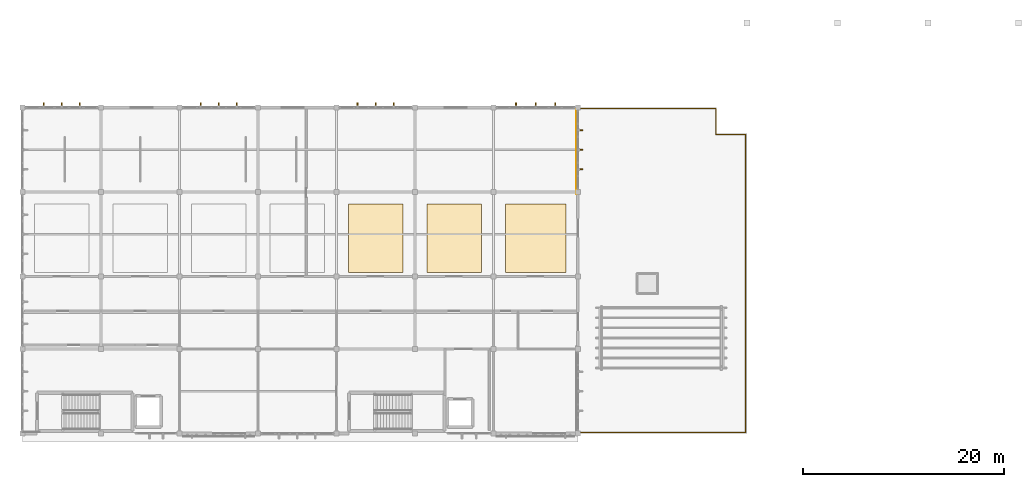
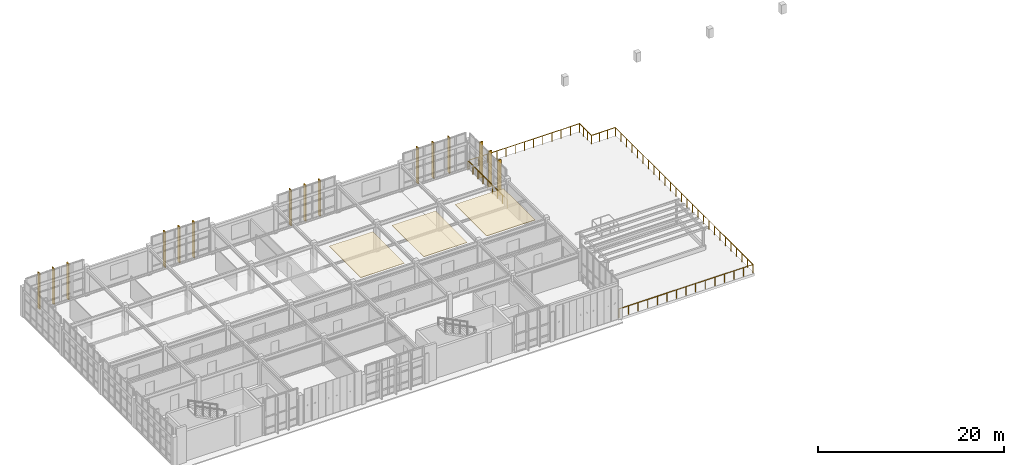
# One storey, part 19 of 20: 18 coverings, 2 railings.
"""IFC4 building model written with IfcOpenShell, lengths in metres."""

import ifcopenshell
import ifcopenshell.guid

model = None  # the IFC model being written
_history = None  # IfcOwnerHistory: only IFC2X3 demands one
_inside = {}  # id of a spatial element -> (the spatial element, [elements in it])
_under = {}  # id of a project, library or spatial element -> (it, [spatial elements below it])
_declared = {}  # id of a project -> (the project, [libraries it declares])
_typed = {}  # id of a type object -> (the type object, [elements of that type])
_made_of = {}  # id of a material, layer set ... -> (it, [elements and type objects made of it])


def new_model(schema):
    """Start an empty IFC model of exactly this schema.

    Asked for "IFC4X3", IfcOpenShell would pick the latest addendum, in which some entities
    have other attributes; the version numbers below select the first issue.
    IFC2X3 requires an IfcOwnerHistory on every rooted entity: one is made here for all.
    """
    global model, _history
    if schema == "IFC4X3":
        model = ifcopenshell.file(schema_version=(4, 3, 0, 0))
    else:
        model = ifcopenshell.file(schema=schema)
    _inside.clear()
    _under.clear()
    _declared.clear()
    _typed.clear()
    _made_of.clear()
    _history = None
    if model.schema == "IFC2X3":
        org = make("IfcOrganization", Name="unknown")
        user = make(
            "IfcPersonAndOrganization",
            ThePerson=make("IfcPerson", FamilyName="unknown"),
            TheOrganization=org,
        )
        app = make(
            "IfcApplication",
            ApplicationDeveloper=org,
            Version="unknown",
            ApplicationFullName="unknown",
            ApplicationIdentifier="unknown",
        )
        _history = make(
            "IfcOwnerHistory",
            OwningUser=user,
            OwningApplication=app,
            ChangeAction="ADDED",
            CreationDate=0,
        )
    return model


def make(cls, **values):
    """One entity of the class cls with the attributes given. An attribute that is None is left unset."""
    return model.create_entity(
        cls, **{name: value for name, value in values.items() if value is not None}
    )


def rooted(cls, **values):
    """An entity with a GlobalId (a new one), such as an element, a storey or a relation."""
    return make(cls, GlobalId=ifcopenshell.guid.new(), OwnerHistory=_history, **values)


def si_unit(unit_type, name, prefix=None):
    """IfcSIUnit, for example si_unit("LENGTHUNIT", "METRE", prefix="MILLI")."""
    return make("IfcSIUnit", UnitType=unit_type, Prefix=prefix, Name=name)


def assignment(units):
    """IfcUnitAssignment: the units of a project."""
    return None if units is None else make("IfcUnitAssignment", Units=units)


def point(xyz):
    """IfcCartesianPoint."""
    return None if xyz is None else make("IfcCartesianPoint", Coordinates=xyz)


def direction(xyz):
    """IfcDirection."""
    return None if xyz is None else make("IfcDirection", DirectionRatios=xyz)


def frame(location, z_axis=None, x_axis=None):
    """IfcAxis2Placement3D, a coordinate frame: its origin and axes. An axis left out is left unset."""
    return make(
        "IfcAxis2Placement3D",
        Location=point(location),
        Axis=direction(z_axis),
        RefDirection=direction(x_axis),
    )


def frame_2d(location, x_axis=None):
    """IfcAxis2Placement2D, a coordinate frame in the plane: its origin and x axis."""
    return make(
        "IfcAxis2Placement2D", Location=point(location), RefDirection=direction(x_axis)
    )


def origin():
    """The frame at (0, 0, 0) with its axes left unset."""
    return frame((0.0, 0.0, 0.0))


def origin_2d():
    """The frame at (0, 0) in the plane with its x axis left unset."""
    return frame_2d((0.0, 0.0))


def place(relative_to, where):
    """IfcLocalPlacement: puts the frame where relative to a parent placement (None: the world)."""
    return make(
        "IfcLocalPlacement", PlacementRelTo=relative_to, RelativePlacement=where
    )


def context(
    kind, dimensions, precision=None, world=None, true_north=None, identifier=None
):
    """IfcGeometricRepresentationContext, for example the 3D "Model" context."""
    return make(
        "IfcGeometricRepresentationContext",
        ContextIdentifier=identifier,
        ContextType=kind,
        CoordinateSpaceDimension=dimensions,
        Precision=precision,
        WorldCoordinateSystem=world,
        TrueNorth=true_north,
    )


def subcontext(parent, identifier, kind, view, scale=None):
    """IfcGeometricRepresentationSubContext, for example "Body" below "Model"."""
    return make(
        "IfcGeometricRepresentationSubContext",
        ContextIdentifier=identifier,
        ContextType=kind,
        ParentContext=parent,
        TargetScale=scale,
        TargetView=view,
    )


def project(units=None, contexts=None):
    """IfcProject with its units and contexts."""
    return rooted(
        "IfcProject",
        Name="project",
        RepresentationContexts=contexts,
        UnitsInContext=assignment(units),
    )


def spatial(cls, under=None, at=None, **own):
    """A site, building, storey or space (cls), placed at a placement, below another one or the project."""
    s = rooted(cls, ObjectPlacement=at, **own)
    if under is not None:
        _under.setdefault(under.id(), (under, []))[1].append(s)
    return s


def polyline(points):
    """IfcPolyline through the points."""
    return make("IfcPolyline", Points=[point(p) for p in points])


def profile(cls, at=None, kind="AREA", **sizes):
    """A parametric profile (cls). Its sizes go by their IFC names, for example OverallWidth=200.0."""
    return make(cls, ProfileType=kind, Position=at, **sizes)


def rectangle(**sizes):
    """IfcRectangleProfileDef."""
    return profile("IfcRectangleProfileDef", **sizes)


def circle(**sizes):
    """IfcCircleProfileDef."""
    return profile("IfcCircleProfileDef", **sizes)


def outline(outer, holes=None, kind="AREA"):
    """IfcArbitraryClosedProfileDef: a profile drawn as a closed curve; with holes, ...WithVoids."""
    if holes is None:
        return make("IfcArbitraryClosedProfileDef", ProfileType=kind, OuterCurve=outer)
    return make(
        "IfcArbitraryProfileDefWithVoids",
        ProfileType=kind,
        OuterCurve=outer,
        InnerCurves=holes,
    )


def extrude(swept, where, along, depth):
    """IfcExtrudedAreaSolid: the profile swept, set in the frame where, extruded along a direction by depth."""
    return make(
        "IfcExtrudedAreaSolid",
        SweptArea=swept,
        Position=where,
        ExtrudedDirection=direction(along),
        Depth=depth,
    )


def shape(context_of_items, identifier, shape_type, items):
    """IfcShapeRepresentation: the items that make up one representation, for example the "Body"."""
    return make(
        "IfcShapeRepresentation",
        ContextOfItems=context_of_items,
        RepresentationIdentifier=identifier,
        RepresentationType=shape_type,
        Items=items,
    )


def material(Name=None, Category=None):
    """IfcMaterial."""
    return make("IfcMaterial", Name=Name, Category=Category)


def layer(
    of_material, thickness, ventilated=None, Name=None, Category=None, Priority=None
):
    """IfcMaterialLayer: one layer of a wall or slab, of a material (None: an air gap)."""
    return make(
        "IfcMaterialLayer",
        Material=of_material,
        LayerThickness=thickness,
        IsVentilated=ventilated,
        Name=Name,
        Category=Category,
        Priority=Priority,
    )


def layer_set(layers, Name=None):
    """IfcMaterialLayerSet."""
    return make("IfcMaterialLayerSet", MaterialLayers=layers, LayerSetName=Name)


def made_of(thing, what):
    """Note that an element or type object is made of a material, layer set ...; save() writes the relation."""
    if what is not None:
        _made_of.setdefault(what.id(), (what, []))[1].append(thing)
    return thing


def type_object(cls, material=None, **own):
    """A type object (cls), such as IfcWallType, which elements share."""
    return made_of(rooted(cls, **own), material)


def element(
    cls,
    number,
    at=None,
    inside=None,
    cuts=None,
    type_object=None,
    material=None,
    context=None,
    identifier="Body",
    shape_type=None,
    held_by="IfcProductDefinitionShape",
    body=None,
    shapes=None,
    **own,
):
    """One element of the class cls, such as IfcWall. Its Tag is "e" and its number.

    at: its placement. inside: the storey or other place that contains it. cuts: it is an
    opening in that element (IfcRelVoidsElement). A single representation is given by context,
    identifier, shape_type and body (its items); several are given by shapes. held_by: the class
    of the entity that holds the representations. save() writes the other relations.
    """
    e = rooted(cls, Tag="e%d" % number, ObjectPlacement=at, **own)
    if body is not None:
        shapes = [shape(context, identifier, shape_type, body)]
    if shapes is not None:
        e.Representation = make(held_by, Representations=shapes)
    if inside is not None:
        _inside.setdefault(inside.id(), (inside, []))[1].append(e)
    if cuts is not None:
        rooted(
            "IfcRelVoidsElement", RelatingBuildingElement=cuts, RelatedOpeningElement=e
        )
    if type_object is not None:
        _typed.setdefault(type_object.id(), (type_object, []))[1].append(e)
    return made_of(e, material)


def aggregate(whole, parts):
    """IfcRelAggregates: a whole, such as a stair, and the parts it consists of."""
    return rooted("IfcRelAggregates", RelatingObject=whole, RelatedObjects=parts)


def save(model, path):
    """Write the relations noted so far, then the file.

    IfcRelAggregates (storeys below a building ...), IfcRelContainedInSpatialStructure (elements
    in a storey), IfcRelDefinesByType, IfcRelAssociatesMaterial and IfcRelDeclares: one each for
    every whole, place, type object, material and project.
    """
    for whole, parts in _under.values():
        aggregate(whole, parts)
    for where, things in _inside.values():
        rooted(
            "IfcRelContainedInSpatialStructure",
            RelatedElements=things,
            RelatingStructure=where,
        )
    for kind, things in _typed.values():
        rooted("IfcRelDefinesByType", RelatedObjects=things, RelatingType=kind)
    for what, things in _made_of.values():
        rooted("IfcRelAssociatesMaterial", RelatedObjects=things, RelatingMaterial=what)
    for by, libraries in _declared.values():
        rooted("IfcRelDeclares", RelatingContext=by, RelatedDefinitions=libraries)
    model.write(path)


model = new_model("IFC4")

# Units and contexts
model_context = context("Model", 3, precision=1e-05, world=origin(), true_north=direction((0.0, 1.0)))
body_context = subcontext(model_context, "Body", "Model", "MODEL_VIEW")
ifc_project = project(units=[si_unit("LENGTHUNIT", "METRE"), si_unit("AREAUNIT", "SQUARE_METRE"), si_unit("VOLUMEUNIT", "CUBIC_METRE"), si_unit("PLANEANGLEUNIT", "RADIAN"), si_unit("MASSUNIT", "GRAM", prefix="KILO")], contexts=[model_context])

# Site, building, storey
site_placement = place(None, origin())
site = spatial("IfcSite", under=ifc_project, at=site_placement, CompositionType="ELEMENT")
building_placement = place(site_placement, origin())
building = spatial("IfcBuilding", under=site, at=building_placement, Name="Tizgana Railside Sports Hall", CompositionType="ELEMENT")
storey_placement = place(building_placement, frame((0.0, 0.0, 19.800048828125)))
storey = spatial("IfcBuildingStorey", under=building, at=storey_placement, Name="L04", CompositionType="ELEMENT", Elevation=19.800048828125)

# Coverings
ifc_material_1 = material(Name="Glulam GL28h", Category="wood")
ifc_layer_1 = layer(ifc_material_1, 0.139892578125, Name="Glulam GL28h")
ifc_layer_set_1 = layer_set([ifc_layer_1], Name="Glulam GL28h")
covering_type_1 = type_object("IfcCoveringType", Name="Mass-Timber Brise-Soleil & Pergola Fin", PredefinedType="CLADDING", material=ifc_layer_set_1)
for number, where, z_axis, x_axis, name in (
    (1, (9.902587890625, 32.679931640625, 0.0400390625), (0.0, 0.0, 1.0), (1.0, 0.0, 0.0), "L04 Timber Brise-Soleil Fin"),
    (2, (11.699951171875, 32.679931640625, 0.0400390625), (0.0, 0.0, 1.0), (1.0, 0.0, 0.0), "L04 Timber Brise-Soleil Fin"),
    (3, (13.49755859375, 32.679931640625, 0.0400390625), (0.0, 0.0, 1.0), (1.0, 0.0, 0.0), "L04 Timber Brise-Soleil Fin"),
    (4, (25.50244140625, 32.679931640625, 0.0400390625), (0.0, 0.0, 1.0), (1.0, 0.0, 0.0), "L04 Timber Brise-Soleil Fin"),
    (5, (27.300048828125, 32.679931640625, 0.0400390625), (0.0, 0.0, 1.0), (1.0, 0.0, 0.0), "L04 Timber Brise-Soleil Fin"),
    (6, (29.097412109375, 32.679931640625, 0.0400390625), (0.0, 0.0, 1.0), (1.0, 0.0, 0.0), "L04 Timber Brise-Soleil Fin"),
    (7, (41.1025390625, 32.679931640625, 0.0400390625), (0.0, 0.0, 1.0), (1.0, 0.0, 0.0), "L04 Timber Brise-Soleil Fin"),
    (8, (42.89990234375, 32.679931640625, 0.0400390625), (0.0, 0.0, 1.0), (1.0, 0.0, 0.0), "L04 Timber Brise-Soleil Fin"),
    (9, (44.697509765625, 32.679931640625, 0.0400390625), (0.0, 0.0, 1.0), (1.0, 0.0, 0.0), "L04 Timber Brise-Soleil Fin"),
    (10, (56.8525390625, 32.679931640625, 0.0400390625), (0.0, 0.0, 1.0), (1.0, 0.0, 0.0), "L04 Timber Brise-Soleil Fin"),
    (11, (58.800048828125, 32.679931640625, 0.0400390625), (0.0, 0.0, 1.0), (1.0, 0.0, 0.0), "L04 Timber Brise-Soleil Fin"),
    (12, (60.74755859375, 32.679931640625, 0.0400390625), (0.0, 0.0, 1.0), (1.0, 0.0, 0.0), "L04 Timber Brise-Soleil Fin"),
    (13, (63.280029296875, 30.1474609375, 0.0400390625), (0.0, 0.0, 1.0), (0.0, -1.0, 0.0), "L04 Timber Brise-Soleil Fin"),
    (14, (63.280029296875, 28.199951171875, 0.0400390625), (0.0, 0.0, 1.0), (0.0, -1.0, 0.0), "L04 Timber Brise-Soleil Fin"),
    (15, (63.280029296875, 26.25244140625, 0.0400390625), (0.0, 0.0, 1.0), (0.0, -1.0, 0.0), "L04 Timber Brise-Soleil Fin"),
):
    element("IfcCovering", number, at=place(storey_placement, frame(where, z_axis=z_axis, x_axis=x_axis)), inside=storey, type_object=covering_type_1, Name=name, PredefinedType="CLADDING", context=body_context, shape_type="SweptSolid", body=[
        extrude(rectangle(XDim=0.1201171875, YDim=0.43994140625, at=origin_2d()), origin(), (0.0, 0.0, 1.0), 4.719970703125),
    ])
ifc_material_2 = material(Name="Acoustic perforated timber", Category="wood")
ifc_layer_2 = layer(ifc_material_2, 0.054931640625, Name="Acoustic perforated timber")
ifc_layer_set_2 = layer_set([ifc_layer_2], Name="Acoustic perforated timber")
covering_type_2 = type_object("IfcCoveringType", Name="Slatted Timber Acoustic Hall Ceiling", PredefinedType="CEILING", material=ifc_layer_set_2)
covering_1_placement = place(storey_placement, frame((0.0, 0.0, 3.550048828125)))
element("IfcCovering", 16, at=covering_1_placement, inside=storey, type_object=covering_type_2, Name="L04 Acoustic Ceiling CLG-0032", PredefinedType="CEILING", context=body_context, shape_type="SweptSolid", body=[
    extrude(outline(polyline([(40.199951171875, 16.0), (45.60009765625, 16.0), (45.60009765625, 22.800048828125), (40.199951171875, 22.800048828125), (40.199951171875, 16.0)])), origin(), (0.0, 0.0, 1.0), 0.054931640625),
])
covering_2_placement = place(storey_placement, frame((0.0, 0.0, 3.550048828125)))
element("IfcCovering", 17, at=covering_2_placement, inside=storey, type_object=covering_type_2, Name="L04 Acoustic Ceiling CLG-0033", PredefinedType="CEILING", context=body_context, shape_type="SweptSolid", body=[
    extrude(outline(polyline([(48.0, 16.0), (53.39990234375, 16.0), (53.39990234375, 22.800048828125), (48.0, 22.800048828125), (48.0, 16.0)])), origin(), (0.0, 0.0, 1.0), 0.054931640625),
])
covering_3_placement = place(storey_placement, frame((0.0, 0.0, 3.550048828125)))
element("IfcCovering", 18, at=covering_3_placement, inside=storey, type_object=covering_type_2, Name="L04 Acoustic Ceiling CLG-0034", PredefinedType="CEILING", context=body_context, shape_type="SweptSolid", body=[
    extrude(outline(polyline([(55.800048828125, 16.0), (61.800048828125, 16.0), (61.800048828125, 22.800048828125), (55.800048828125, 22.800048828125), (55.800048828125, 16.0)])), origin(), (0.0, 0.0, 1.0), 0.054931640625),
])

# Railings
ifc_material_3 = material(Name="Anodised aluminium", Category="aluminium")
railing_type = type_object("IfcRailingType", Name="Terrace & Track Guard 1150", PredefinedType="BALUSTRADE", material=ifc_material_3)
railing_1_placement = place(storey_placement, frame((63.050048828125, 0.1201171875, 0.0)))
element("IfcRailing", 19, at=railing_1_placement, inside=storey, type_object=railing_type, Name="L04 Safety Guard GRD-0013", PredefinedType="BALUSTRADE", context=body_context, shape_type="SweptSolid", body=[
    extrude(circle(Radius=0.02392578125, at=origin_2d()), frame((0.0, 0.0, 1.1259765625), z_axis=(1.0, 0.0, 0.0), x_axis=(0.0, 1.0, 0.0)), (0.0, 0.0, 1.0), 16.6298828125),
    extrude(circle(Radius=0.02392578125, at=origin_2d()), frame((16.6298828125, 0.0, 1.1259765625), z_axis=(0.0, 1.0, 0.0), x_axis=(-1.0, 0.0, 0.0)), (0.0, 0.0, 1.0), 29.599853515625),
    extrude(circle(Radius=0.02392578125, at=origin_2d()), frame((16.6298828125, 29.599853515625, 1.1259765625), z_axis=(-1.0, 0.0, 0.0), x_axis=(0.0, -1.0, 0.0)), (0.0, 0.0, 1.0), 2.9599609375),
    extrude(circle(Radius=0.02392578125, at=origin_2d()), frame((13.669921875, 29.599853515625, 1.1259765625), z_axis=(0.0, 1.0, 0.0), x_axis=(-1.0, 0.0, 0.0)), (0.0, 0.0, 1.0), 2.56005859375),
    extrude(circle(Radius=0.02392578125, at=origin_2d()), frame((13.669921875, 32.159912109375, 1.1259765625), z_axis=(-1.0, 0.0, 0.0), x_axis=(0.0, -1.0, 0.0)), (0.0, 0.0, 1.0), 13.669921875),
    extrude(circle(Radius=0.02099609375, at=origin_2d()), origin(), (0.0, 0.0, 1.0), 1.101806640625),
    extrude(circle(Radius=0.02099609375, at=origin_2d()), frame((1.187744140625, 0.0, 0.0)), (0.0, 0.0, 1.0), 1.101806640625),
    extrude(circle(Radius=0.02099609375, at=origin_2d()), frame((2.375732421875, 0.0, 0.0)), (0.0, 0.0, 1.0), 1.101806640625),
    extrude(circle(Radius=0.02099609375, at=origin_2d()), frame((3.5634765625, 0.0, 0.0)), (0.0, 0.0, 1.0), 1.101806640625),
    extrude(circle(Radius=0.02099609375, at=origin_2d()), frame((4.75146484375, 0.0, 0.0)), (0.0, 0.0, 1.0), 1.101806640625),
    extrude(circle(Radius=0.02099609375, at=origin_2d()), frame((5.939208984375, 0.0, 0.0)), (0.0, 0.0, 1.0), 1.101806640625),
    extrude(circle(Radius=0.02099609375, at=origin_2d()), frame((7.127197265625, 0.0, 0.0)), (0.0, 0.0, 1.0), 1.101806640625),
    extrude(circle(Radius=0.02099609375, at=origin_2d()), frame((8.31494140625, 0.0, 0.0)), (0.0, 0.0, 1.0), 1.101806640625),
    extrude(circle(Radius=0.02099609375, at=origin_2d()), frame((9.502685546875, 0.0, 0.0)), (0.0, 0.0, 1.0), 1.101806640625),
    extrude(circle(Radius=0.02099609375, at=origin_2d()), frame((10.690673828125, 0.0, 0.0)), (0.0, 0.0, 1.0), 1.101806640625),
    extrude(circle(Radius=0.02099609375, at=origin_2d()), frame((11.87841796875, 0.0, 0.0)), (0.0, 0.0, 1.0), 1.101806640625),
    extrude(circle(Radius=0.02099609375, at=origin_2d()), frame((13.06640625, 0.0, 0.0)), (0.0, 0.0, 1.0), 1.101806640625),
    extrude(circle(Radius=0.02099609375, at=origin_2d()), frame((14.254150390625, 0.0, 0.0)), (0.0, 0.0, 1.0), 1.101806640625),
    extrude(circle(Radius=0.02099609375, at=origin_2d()), frame((15.442138671875, 0.0, 0.0)), (0.0, 0.0, 1.0), 1.101806640625),
    extrude(circle(Radius=0.02099609375, at=origin_2d()), frame((16.6298828125, 0.0, 0.0)), (0.0, 0.0, 1.0), 1.101806640625),
    extrude(circle(Radius=0.02099609375, at=origin_2d()), frame((16.6298828125, 1.18408203125, 0.0)), (0.0, 0.0, 1.0), 1.101806640625),
    extrude(circle(Radius=0.02099609375, at=origin_2d()), frame((16.6298828125, 2.367919921875, 0.0)), (0.0, 0.0, 1.0), 1.101806640625),
    extrude(circle(Radius=0.02099609375, at=origin_2d()), frame((16.6298828125, 3.552001953125, 0.0)), (0.0, 0.0, 1.0), 1.101806640625),
    extrude(circle(Radius=0.02099609375, at=origin_2d()), frame((16.6298828125, 4.736083984375, 0.0)), (0.0, 0.0, 1.0), 1.101806640625),
    extrude(circle(Radius=0.02099609375, at=origin_2d()), frame((16.6298828125, 5.919921875, 0.0)), (0.0, 0.0, 1.0), 1.101806640625),
    extrude(circle(Radius=0.02099609375, at=origin_2d()), frame((16.6298828125, 7.10400390625, 0.0)), (0.0, 0.0, 1.0), 1.101806640625),
    extrude(circle(Radius=0.02099609375, at=origin_2d()), frame((16.6298828125, 8.287841796875, 0.0)), (0.0, 0.0, 1.0), 1.101806640625),
    extrude(circle(Radius=0.02099609375, at=origin_2d()), frame((16.6298828125, 9.471923828125, 0.0)), (0.0, 0.0, 1.0), 1.101806640625),
    extrude(circle(Radius=0.02099609375, at=origin_2d()), frame((16.6298828125, 10.656005859375, 0.0)), (0.0, 0.0, 1.0), 1.101806640625),
    extrude(circle(Radius=0.02099609375, at=origin_2d()), frame((16.6298828125, 11.83984375, 0.0)), (0.0, 0.0, 1.0), 1.101806640625),
    extrude(circle(Radius=0.02099609375, at=origin_2d()), frame((16.6298828125, 13.02392578125, 0.0)), (0.0, 0.0, 1.0), 1.101806640625),
    extrude(circle(Radius=0.02099609375, at=origin_2d()), frame((16.6298828125, 14.2080078125, 0.0)), (0.0, 0.0, 1.0), 1.101806640625),
    extrude(circle(Radius=0.02099609375, at=origin_2d()), frame((16.6298828125, 15.391845703125, 0.0)), (0.0, 0.0, 1.0), 1.101806640625),
    extrude(circle(Radius=0.02099609375, at=origin_2d()), frame((16.6298828125, 16.575927734375, 0.0)), (0.0, 0.0, 1.0), 1.101806640625),
    extrude(circle(Radius=0.02099609375, at=origin_2d()), frame((16.6298828125, 17.760009765625, 0.0)), (0.0, 0.0, 1.0), 1.101806640625),
    extrude(circle(Radius=0.02099609375, at=origin_2d()), frame((16.6298828125, 18.94384765625, 0.0)), (0.0, 0.0, 1.0), 1.101806640625),
    extrude(circle(Radius=0.02099609375, at=origin_2d()), frame((16.6298828125, 20.1279296875, 0.0)), (0.0, 0.0, 1.0), 1.101806640625),
    extrude(circle(Radius=0.02099609375, at=origin_2d()), frame((16.6298828125, 21.31201171875, 0.0)), (0.0, 0.0, 1.0), 1.101806640625),
    extrude(circle(Radius=0.02099609375, at=origin_2d()), frame((16.6298828125, 22.495849609375, 0.0)), (0.0, 0.0, 1.0), 1.101806640625),
    extrude(circle(Radius=0.02099609375, at=origin_2d()), frame((16.6298828125, 23.679931640625, 0.0)), (0.0, 0.0, 1.0), 1.101806640625),
    extrude(circle(Radius=0.02099609375, at=origin_2d()), frame((16.6298828125, 24.86376953125, 0.0)), (0.0, 0.0, 1.0), 1.101806640625),
    extrude(circle(Radius=0.02099609375, at=origin_2d()), frame((16.6298828125, 26.0478515625, 0.0)), (0.0, 0.0, 1.0), 1.101806640625),
    extrude(circle(Radius=0.02099609375, at=origin_2d()), frame((16.6298828125, 27.23193359375, 0.0)), (0.0, 0.0, 1.0), 1.101806640625),
    extrude(circle(Radius=0.02099609375, at=origin_2d()), frame((16.6298828125, 28.415771484375, 0.0)), (0.0, 0.0, 1.0), 1.101806640625),
    extrude(circle(Radius=0.02099609375, at=origin_2d()), frame((16.6298828125, 29.599853515625, 0.0)), (0.0, 0.0, 1.0), 1.101806640625),
    extrude(circle(Radius=0.02099609375, at=origin_2d()), frame((15.643310546875, 29.599853515625, 0.0)), (0.0, 0.0, 1.0), 1.101806640625),
    extrude(circle(Radius=0.02099609375, at=origin_2d()), frame((14.656494140625, 29.599853515625, 0.0)), (0.0, 0.0, 1.0), 1.101806640625),
    extrude(circle(Radius=0.02099609375, at=origin_2d()), frame((13.669921875, 29.599853515625, 0.0)), (0.0, 0.0, 1.0), 1.101806640625),
    extrude(circle(Radius=0.02099609375, at=origin_2d()), frame((13.669921875, 30.453125, 0.0)), (0.0, 0.0, 1.0), 1.101806640625),
    extrude(circle(Radius=0.02099609375, at=origin_2d()), frame((13.669921875, 31.306640625, 0.0)), (0.0, 0.0, 1.0), 1.101806640625),
    extrude(circle(Radius=0.02099609375, at=origin_2d()), frame((13.669921875, 32.159912109375, 0.0)), (0.0, 0.0, 1.0), 1.101806640625),
    extrude(circle(Radius=0.02099609375, at=origin_2d()), frame((12.53076171875, 32.159912109375, 0.0)), (0.0, 0.0, 1.0), 1.101806640625),
    extrude(circle(Radius=0.02099609375, at=origin_2d()), frame((11.3916015625, 32.159912109375, 0.0)), (0.0, 0.0, 1.0), 1.101806640625),
    extrude(circle(Radius=0.02099609375, at=origin_2d()), frame((10.25244140625, 32.159912109375, 0.0)), (0.0, 0.0, 1.0), 1.101806640625),
    extrude(circle(Radius=0.02099609375, at=origin_2d()), frame((9.11328125, 32.159912109375, 0.0)), (0.0, 0.0, 1.0), 1.101806640625),
    extrude(circle(Radius=0.02099609375, at=origin_2d()), frame((7.97412109375, 32.159912109375, 0.0)), (0.0, 0.0, 1.0), 1.101806640625),
    extrude(circle(Radius=0.02099609375, at=origin_2d()), frame((6.8349609375, 32.159912109375, 0.0)), (0.0, 0.0, 1.0), 1.101806640625),
    extrude(circle(Radius=0.02099609375, at=origin_2d()), frame((5.69580078125, 32.159912109375, 0.0)), (0.0, 0.0, 1.0), 1.101806640625),
    extrude(circle(Radius=0.02099609375, at=origin_2d()), frame((4.556640625, 32.159912109375, 0.0)), (0.0, 0.0, 1.0), 1.101806640625),
    extrude(circle(Radius=0.02099609375, at=origin_2d()), frame((3.41748046875, 32.159912109375, 0.0)), (0.0, 0.0, 1.0), 1.101806640625),
    extrude(circle(Radius=0.02099609375, at=origin_2d()), frame((2.2783203125, 32.159912109375, 0.0)), (0.0, 0.0, 1.0), 1.101806640625),
    extrude(circle(Radius=0.02099609375, at=origin_2d()), frame((1.13916015625, 32.159912109375, 0.0)), (0.0, 0.0, 1.0), 1.101806640625),
    extrude(circle(Radius=0.02099609375, at=origin_2d()), frame((0.0, 32.159912109375, 0.0)), (0.0, 0.0, 1.0), 1.101806640625),
])
railing_2_placement = place(storey_placement, frame((62.8798828125, 23.800048828125, 0.0)))
element("IfcRailing", 20, at=railing_2_placement, inside=storey, type_object=railing_type, Name="L04 Safety Guard GRD-0040", PredefinedType="BALUSTRADE", context=body_context, shape_type="SweptSolid", body=[
    extrude(circle(Radius=0.02392578125, at=origin_2d()), frame((0.0, 0.0, 1.1259765625), z_axis=(0.0, 1.0, 0.0), x_axis=(-1.0, 0.0, 0.0)), (0.0, 0.0, 1.0), 8.449951171875),
    extrude(circle(Radius=0.02099609375, at=origin_2d()), origin(), (0.0, 0.0, 1.0), 1.101806640625),
    extrude(circle(Radius=0.02099609375, at=origin_2d()), frame((0.0, 1.05615234375, 0.0)), (0.0, 0.0, 1.0), 1.101806640625),
    extrude(circle(Radius=0.02099609375, at=origin_2d()), frame((0.0, 2.112548828125, 0.0)), (0.0, 0.0, 1.0), 1.101806640625),
    extrude(circle(Radius=0.02099609375, at=origin_2d()), frame((0.0, 3.168701171875, 0.0)), (0.0, 0.0, 1.0), 1.101806640625),
    extrude(circle(Radius=0.02099609375, at=origin_2d()), frame((0.0, 4.22509765625, 0.0)), (0.0, 0.0, 1.0), 1.101806640625),
    extrude(circle(Radius=0.02099609375, at=origin_2d()), frame((0.0, 5.28125, 0.0)), (0.0, 0.0, 1.0), 1.101806640625),
    extrude(circle(Radius=0.02099609375, at=origin_2d()), frame((0.0, 6.33740234375, 0.0)), (0.0, 0.0, 1.0), 1.101806640625),
    extrude(circle(Radius=0.02099609375, at=origin_2d()), frame((0.0, 7.393798828125, 0.0)), (0.0, 0.0, 1.0), 1.101806640625),
    extrude(circle(Radius=0.02099609375, at=origin_2d()), frame((0.0, 8.449951171875, 0.0)), (0.0, 0.0, 1.0), 1.101806640625),
])

save(model, "model.ifc")
